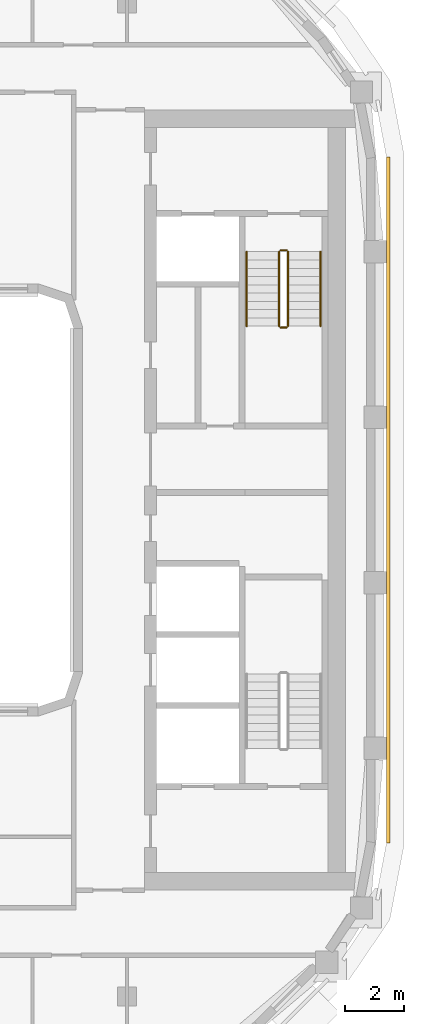
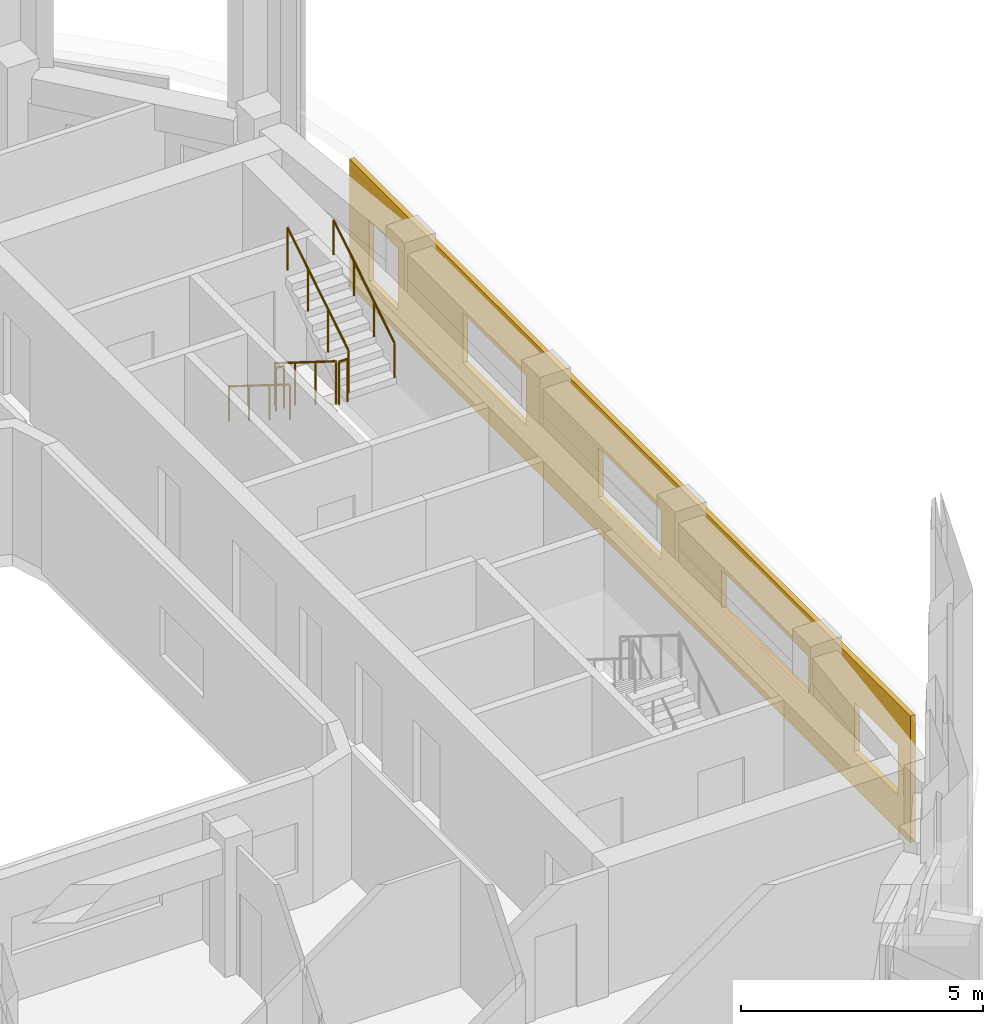
# One storey, part 14 of 15: 6 railings, 1 covering.
"""IFC4 building model written with IfcOpenShell, lengths in metres."""

from ifc_helpers import new_model, si_unit, direction, frame, origin, origin_2d, place, context, subcontext, project, spatial, polyline, circle, outline, extrude, material, layer, layer_set, type_object, element, save


model = new_model("IFC4")

# Units and contexts
model_context = context("Model", 3, precision=1e-05, world=origin(), true_north=direction((0.0, 1.0)))
body_context = subcontext(model_context, "Body", "Model", "MODEL_VIEW")
ifc_project = project(units=[si_unit("LENGTHUNIT", "METRE"), si_unit("AREAUNIT", "SQUARE_METRE"), si_unit("VOLUMEUNIT", "CUBIC_METRE"), si_unit("PLANEANGLEUNIT", "RADIAN"), si_unit("MASSUNIT", "GRAM", prefix="KILO")], contexts=[model_context])

# Site, building, storey
site_placement = place(None, origin())
site = spatial("IfcSite", under=ifc_project, at=site_placement, CompositionType="ELEMENT")
building_placement = place(site_placement, origin())
building = spatial("IfcBuilding", under=site, at=building_placement, Name="Kiln Ring Residences", CompositionType="ELEMENT")
storey_placement = place(building_placement, frame((0.0, 0.0, 266.199951171875)))
storey = spatial("IfcBuildingStorey", under=building, at=storey_placement, Name="L69", CompositionType="ELEMENT", Elevation=266.199951171875)

# Railings
ifc_material_1 = material(Name="Stainless steel", Category="steel")
railing_type_1 = type_object("IfcRailingType", Name="CORE-STAIR-GUARD", PredefinedType="GUARDRAIL", material=ifc_material_1)
railing_1_placement = place(storey_placement, frame((21.949951171875, 8.39990234375, 0.175048828125)))
element("IfcRailing", 1, at=railing_1_placement, inside=storey, type_object=railing_type_1, Name="L69 E-STN stair guard 1", PredefinedType="GUARDRAIL", context=body_context, shape_type="SweptSolid", body=[
    extrude(circle(Radius=0.02392578125, at=origin_2d()), frame((0.0, 0.0, 1.076171875), z_axis=(0.0, -0.848007534815, 0.529984170421), x_axis=(1.0, 0.0, 0.0)), (0.0, 0.0, 1.0), 2.9716796875),
    extrude(circle(Radius=0.02099609375, at=origin_2d()), origin(), (0.0, 0.0, 1.0), 1.052001953125),
    extrude(circle(Radius=0.02099609375, at=origin_2d()), frame((0.0, -0.840087890625, 0.52490234375)), (0.0, 0.0, 1.0), 1.052001953125),
    extrude(circle(Radius=0.02099609375, at=origin_2d()), frame((0.0, -1.679931640625, 1.050048828125)), (0.0, 0.0, 1.0), 1.052001953125),
    extrude(circle(Radius=0.02099609375, at=origin_2d()), frame((0.0, -2.52001953125, 1.574951171875)), (0.0, 0.0, 1.0), 1.052001953125),
])
railing_2_placement = place(storey_placement, frame((22.0, 5.830078125, 1.75)))
element("IfcRailing", 2, at=railing_2_placement, inside=storey, type_object=railing_type_1, Name="L69 E-STN stair guard 2", PredefinedType="GUARDRAIL", context=body_context, shape_type="SweptSolid", body=[
    extrude(circle(Radius=0.02392578125, at=origin_2d()), frame((0.0, 0.0, 1.076171875), z_axis=(1.0, 0.0, 0.0), x_axis=(0.0, 1.0, 0.0)), (0.0, 0.0, 1.0), 0.199951171875),
    extrude(circle(Radius=0.02099609375, at=origin_2d()), origin(), (0.0, 0.0, 1.0), 1.052001953125),
    extrude(circle(Radius=0.02099609375, at=origin_2d()), frame((0.199951171875, 0.0, 0.0)), (0.0, 0.0, 1.0), 1.052001953125),
])
railing_3_placement = place(storey_placement, frame((22.25, 5.8798828125, 1.925048828125)))
element("IfcRailing", 3, at=railing_3_placement, inside=storey, type_object=railing_type_1, Name="L69 E-STN stair guard 3", PredefinedType="GUARDRAIL", context=body_context, shape_type="SweptSolid", body=[
    extrude(circle(Radius=0.02392578125, at=origin_2d()), frame((0.0, 0.0, 1.076171875), z_axis=(0.0, 0.848007534815, 0.529984170421), x_axis=(-1.0, 0.0, 0.0)), (0.0, 0.0, 1.0), 2.9716796875),
    extrude(circle(Radius=0.02099609375, at=origin_2d()), origin(), (0.0, 0.0, 1.0), 1.052001953125),
    extrude(circle(Radius=0.02099609375, at=origin_2d()), frame((0.0, 0.840087890625, 0.52490234375)), (0.0, 0.0, 1.0), 1.052001953125),
    extrude(circle(Radius=0.02099609375, at=origin_2d()), frame((0.0, 1.679931640625, 1.050048828125)), (0.0, 0.0, 1.0), 1.052001953125),
    extrude(circle(Radius=0.02099609375, at=origin_2d()), frame((0.0, 2.52001953125, 1.574951171875)), (0.0, 0.0, 1.0), 1.052001953125),
])
railing_4_placement = place(storey_placement, frame((22.0, 8.449951171875, 0.0)))
element("IfcRailing", 4, at=railing_4_placement, inside=storey, type_object=railing_type_1, Name="L69 E-STN stair guard 4", PredefinedType="GUARDRAIL", context=body_context, shape_type="SweptSolid", body=[
    extrude(circle(Radius=0.02392578125, at=origin_2d()), frame((0.0, 0.0, 1.076171875), z_axis=(1.0, 0.0, 0.0), x_axis=(0.0, 1.0, 0.0)), (0.0, 0.0, 1.0), 0.199951171875),
    extrude(circle(Radius=0.02099609375, at=origin_2d()), origin(), (0.0, 0.0, 1.0), 1.052001953125),
    extrude(circle(Radius=0.02099609375, at=origin_2d()), frame((0.199951171875, 0.0, 0.0)), (0.0, 0.0, 1.0), 1.052001953125),
])
ifc_material_2 = material(Name="Stainless steel", Category="steel")
railing_type_2 = type_object("IfcRailingType", Name="CORE-STAIR-HANDRAIL", PredefinedType="HANDRAIL", material=ifc_material_2)
railing_5_placement = place(storey_placement, frame((20.85009765625, 8.39990234375, 0.175048828125)))
element("IfcRailing", 5, at=railing_5_placement, inside=storey, type_object=railing_type_2, Name="L69 E-STN stair handrail 1", PredefinedType="HANDRAIL", context=body_context, shape_type="SweptSolid", body=[
    extrude(circle(Radius=0.02392578125, at=origin_2d()), frame((0.0, 0.0, 0.8759765625), z_axis=(0.0, -0.848007534815, 0.529984170421), x_axis=(1.0, 0.0, 0.0)), (0.0, 0.0, 1.0), 2.9716796875),
    extrude(circle(Radius=0.02099609375, at=origin_2d()), origin(), (0.0, 0.0, 1.0), 0.851806640625),
    extrude(circle(Radius=0.02099609375, at=origin_2d()), frame((0.0, -0.840087890625, 0.52490234375)), (0.0, 0.0, 1.0), 0.851806640625),
    extrude(circle(Radius=0.02099609375, at=origin_2d()), frame((0.0, -1.679931640625, 1.050048828125)), (0.0, 0.0, 1.0), 0.851806640625),
    extrude(circle(Radius=0.02099609375, at=origin_2d()), frame((0.0, -2.52001953125, 1.574951171875)), (0.0, 0.0, 1.0), 0.851806640625),
])
railing_6_placement = place(storey_placement, frame((23.35009765625, 5.8798828125, 1.925048828125)))
element("IfcRailing", 6, at=railing_6_placement, inside=storey, type_object=railing_type_2, Name="L69 E-STN stair handrail 2", PredefinedType="HANDRAIL", context=body_context, shape_type="SweptSolid", body=[
    extrude(circle(Radius=0.02392578125, at=origin_2d()), frame((0.0, 0.0, 0.8759765625), z_axis=(0.0, 0.848007534815, 0.529984170421), x_axis=(-1.0, 0.0, 0.0)), (0.0, 0.0, 1.0), 2.9716796875),
    extrude(circle(Radius=0.02099609375, at=origin_2d()), origin(), (0.0, 0.0, 1.0), 0.851806640625),
    extrude(circle(Radius=0.02099609375, at=origin_2d()), frame((0.0, 0.840087890625, 0.52490234375)), (0.0, 0.0, 1.0), 0.851806640625),
    extrude(circle(Radius=0.02099609375, at=origin_2d()), frame((0.0, 1.679931640625, 1.050048828125)), (0.0, 0.0, 1.0), 0.851806640625),
    extrude(circle(Radius=0.02099609375, at=origin_2d()), frame((0.0, 2.52001953125, 1.574951171875)), (0.0, 0.0, 1.0), 0.851806640625),
])

# Covering
ifc_material_3 = material(Name="Brick masonry, dark clay brick", Category="masonry")
ifc_layer = layer(ifc_material_3, 0.1201171875)
ifc_layer_set = layer_set([ifc_layer], Name="RAINSCREEN PANEL 120")
covering_type = type_object("IfcCoveringType", Name="RAINSCREEN PANEL 120", PredefinedType="CLADDING", material=ifc_layer_set)
covering_placement = place(storey_placement, frame((25.635009765625, -11.60009765625, 0.0), z_axis=(0.0, 0.0, 1.0), x_axis=(0.0, 1.0, 0.0)))
element("IfcCovering", 7, at=covering_placement, inside=storey, type_object=covering_type, Name="RAINSCREEN L69", PredefinedType="CLADDING", context=body_context, shape_type="SweptSolid", body=[
    extrude(outline(polyline([(0.0, 0.0), (23.199951171875, 0.0), (23.199951171875, 3.199951171875), (0.0, 3.199951171875), (0.0, 0.0)]), holes=[polyline([(22.387451171875, 0.60009765625), (22.387451171875, 2.150146484375), (21.1875, 2.150146484375), (21.1875, 0.60009765625), (22.387451171875, 0.60009765625)]), polyline([(2.3125, 0.900146484375), (2.3125, 2.150146484375), (0.512451171875, 2.150146484375), (0.512451171875, 0.900146484375), (2.3125, 0.900146484375)]), polyline([(12.89990234375, 0.900146484375), (12.89990234375, 2.150146484375), (10.300048828125, 2.150146484375), (10.300048828125, 0.900146484375), (12.89990234375, 0.900146484375)]), polyline([(15.89990234375, 0.900146484375), (18.5, 0.900146484375), (18.5, 2.150146484375), (15.89990234375, 2.150146484375), (15.89990234375, 0.900146484375)]), polyline([(4.199951171875, 1.199951171875), (7.800048828125, 1.199951171875), (7.800048828125, 2.150146484375), (4.199951171875, 2.150146484375), (4.199951171875, 1.199951171875)])]), frame((0.0, 0.06005859375, 0.0), z_axis=(0.0, -1.0, 0.0), x_axis=(1.0, 0.0, 0.0)), (0.0, 0.0, 1.0), 0.1201171875),
])

save(model, "model.ifc")
